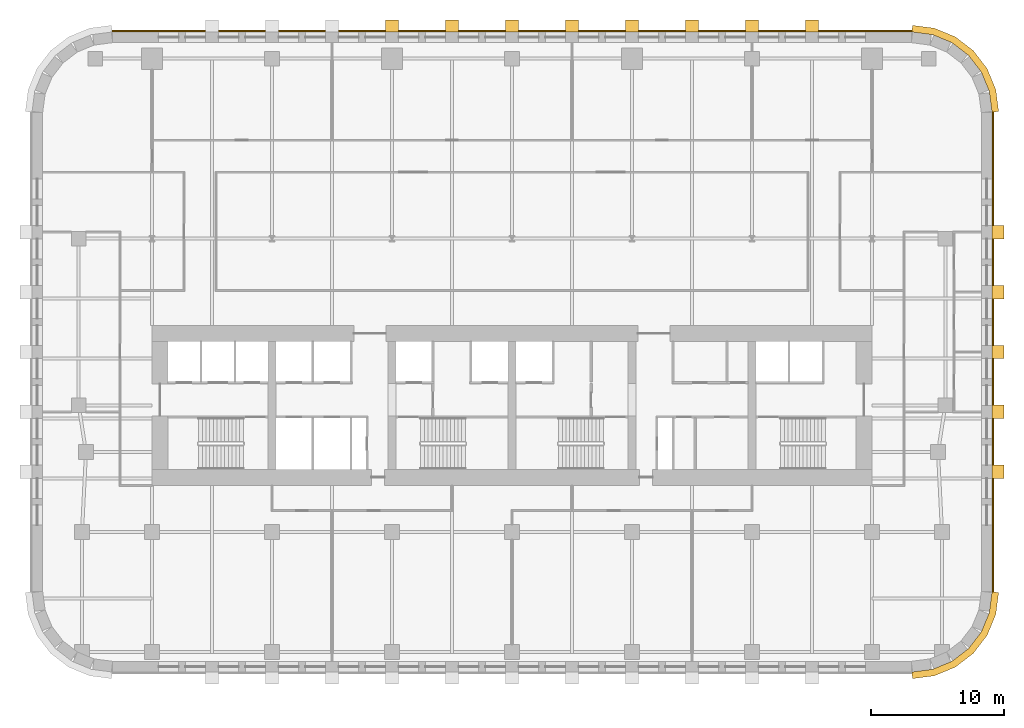
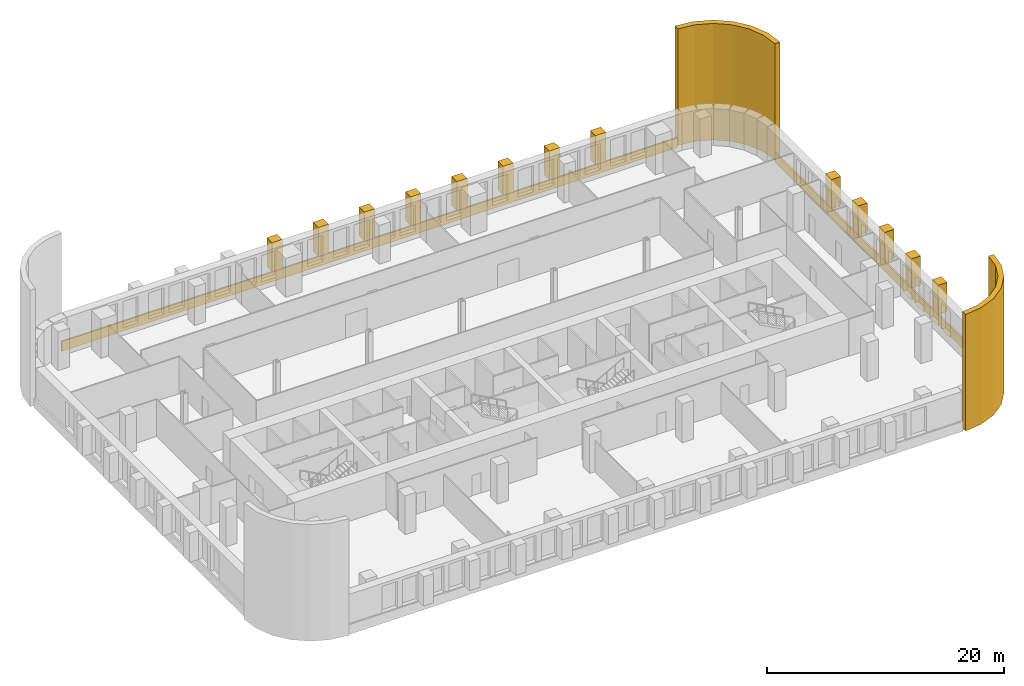
# One storey, part 12 of 12: 17 coverings.
"""IFC4 building model written with IfcOpenShell, lengths in metres."""

from ifc_helpers import new_model, si_unit, direction, frame, origin, place, context, subcontext, project, spatial, polyline, outline, extrude, material, layer, layer_set, type_object, element, save


model = new_model("IFC4")

# Units and contexts
model_context = context("Model", 3, precision=1e-05, world=origin(), true_north=direction((0.0, 1.0)))
body_context = subcontext(model_context, "Body", "Model", "MODEL_VIEW")
ifc_project = project(units=[si_unit("LENGTHUNIT", "METRE"), si_unit("AREAUNIT", "SQUARE_METRE"), si_unit("VOLUMEUNIT", "CUBIC_METRE"), si_unit("PLANEANGLEUNIT", "RADIAN"), si_unit("MASSUNIT", "GRAM", prefix="KILO")], contexts=[model_context])

# Site, building, storey
site_placement = place(None, origin())
site = spatial("IfcSite", under=ifc_project, at=site_placement, CompositionType="ELEMENT")
building_placement = place(site_placement, origin())
building = spatial("IfcBuilding", under=site, at=building_placement, Name="Zellij Exchange Tower", CompositionType="ELEMENT")
storey_placement = place(building_placement, frame((0.0, 0.0, 88.5)))
storey = spatial("IfcBuildingStorey", under=building, at=storey_placement, Name="L18", CompositionType="ELEMENT", Elevation=88.5)

# Coverings
ifc_material = material(Name="Limestone cladding", Category="masonry")
ifc_layer_1 = layer(ifc_material, 0.14990234375)
ifc_layer_set_1 = layer_set([ifc_layer_1], Name="Limestone cladding")
covering_type_1 = type_object("IfcCoveringType", Name="ENV-CV1 Stone spandrel band 150", PredefinedType="CLADDING", material=ifc_layer_set_1)
covering_1_placement = place(storey_placement, frame((0.0, 0.0, -0.199951171875)))
element("IfcCovering", 1, at=covering_1_placement, inside=storey, type_object=covering_type_1, Name="Stone spandrel band", PredefinedType="CLADDING", context=body_context, shape_type="SweptSolid", body=[
    extrude(outline(polyline([(36.0, -21.973876953125), (36.0, 13.973876953125), (36.14990234375, 13.983642578125), (36.14990234375, -21.983642578125), (36.0, -21.973876953125)])), origin(), (0.0, 0.0, 1.0), 1.0),
])
covering_2_placement = place(storey_placement, frame((0.0, 0.0, -0.199951171875)))
element("IfcCovering", 2, at=covering_2_placement, inside=storey, type_object=covering_type_1, Name="Stone spandrel band", PredefinedType="CLADDING", context=body_context, shape_type="SweptSolid", body=[
    extrude(outline(polyline([(29.973876953125, 20.0), (-29.973876953125, 20.0), (-29.983642578125, 20.14990234375), (29.983642578125, 20.14990234375), (29.973876953125, 20.0)])), origin(), (0.0, 0.0, 1.0), 1.0),
])
ifc_layer_2 = layer(ifc_material, 0.5)
ifc_layer_set_2 = layer_set([ifc_layer_2], Name="Limestone cladding")
covering_type_2 = type_object("IfcCoveringType", Name="ENV-CV12 Stone corner pier 500", PredefinedType="CLADDING", material=ifc_layer_set_2)
covering_3_placement = place(storey_placement, origin())
element("IfcCovering", 3, at=covering_3_placement, inside=storey, type_object=covering_type_2, Name="Stone corner pier", PredefinedType="CLADDING", context=body_context, shape_type="SweptSolid", body=[
    extrude(outline(polyline([(30.0, -28.0), (31.552978515625, -27.795654296875), (33.0, -27.1962890625), (34.24267578125, -26.24267578125), (35.1962890625, -25.0), (35.795654296875, -23.552978515625), (36.0, -22.0), (36.5, -22.03271484375), (36.28271484375, -23.683349609375), (35.6328125, -25.252197265625), (34.59912109375, -26.59912109375), (33.252197265625, -27.6328125), (31.683349609375, -28.28271484375), (30.03271484375, -28.5), (30.0, -28.0)])), origin(), (0.0, 0.0, 1.0), 12.0),
])
covering_4_placement = place(storey_placement, origin())
element("IfcCovering", 4, at=covering_4_placement, inside=storey, type_object=covering_type_2, Name="Stone corner pier", PredefinedType="CLADDING", context=body_context, shape_type="SweptSolid", body=[
    extrude(outline(polyline([(36.0, 14.0), (35.795654296875, 15.552978515625), (35.1962890625, 17.0), (34.24267578125, 18.24267578125), (33.0, 19.1962890625), (31.552978515625, 19.795654296875), (30.0, 20.0), (30.03271484375, 20.5), (31.683349609375, 20.28271484375), (33.252197265625, 19.6328125), (34.59912109375, 18.59912109375), (35.6328125, 17.252197265625), (36.28271484375, 15.683349609375), (36.5, 14.03271484375), (36.0, 14.0)])), origin(), (0.0, 0.0, 1.0), 12.0),
])
covering_type_3 = type_object("IfcCoveringType", Name="ENV-CV2 Stone pier 1000x900", PredefinedType="CLADDING", material=ifc_material)
covering_5_placement = place(storey_placement, frame((0.0, 0.0, 0.800048828125)))
element("IfcCovering", 5, at=covering_5_placement, inside=storey, type_object=covering_type_3, Name="Stone pier", PredefinedType="CLADDING", context=body_context, shape_type="SweptSolid", body=[
    extrude(outline(polyline([(36.0, -13.48681640625), (36.0, -12.48681640625), (36.89990234375, -12.48681640625), (36.89990234375, -13.48681640625), (36.0, -13.48681640625)])), origin(), (0.0, 0.0, 1.0), 3.0),
])
covering_6_placement = place(storey_placement, frame((0.0, 0.0, 0.800048828125)))
element("IfcCovering", 6, at=covering_6_placement, inside=storey, type_object=covering_type_3, Name="Stone pier", PredefinedType="CLADDING", context=body_context, shape_type="SweptSolid", body=[
    extrude(outline(polyline([(36.0, -8.993408203125), (36.0, -7.993408203125), (36.89990234375, -7.993408203125), (36.89990234375, -8.993408203125), (36.0, -8.993408203125)])), origin(), (0.0, 0.0, 1.0), 3.0),
])
covering_7_placement = place(storey_placement, frame((0.0, 0.0, 0.800048828125)))
element("IfcCovering", 7, at=covering_7_placement, inside=storey, type_object=covering_type_3, Name="Stone pier", PredefinedType="CLADDING", context=body_context, shape_type="SweptSolid", body=[
    extrude(outline(polyline([(36.0, -4.5), (36.0, -3.5), (36.89990234375, -3.5), (36.89990234375, -4.5), (36.0, -4.5)])), origin(), (0.0, 0.0, 1.0), 3.0),
])
covering_8_placement = place(storey_placement, frame((0.0, 0.0, 0.800048828125)))
element("IfcCovering", 8, at=covering_8_placement, inside=storey, type_object=covering_type_3, Name="Stone pier", PredefinedType="CLADDING", context=body_context, shape_type="SweptSolid", body=[
    extrude(outline(polyline([(36.0, -0.006591796875), (36.0, 0.993408203125), (36.89990234375, 0.993408203125), (36.89990234375, -0.006591796875), (36.0, -0.006591796875)])), origin(), (0.0, 0.0, 1.0), 3.0),
])
covering_9_placement = place(storey_placement, frame((0.0, 0.0, 0.800048828125)))
element("IfcCovering", 9, at=covering_9_placement, inside=storey, type_object=covering_type_3, Name="Stone pier", PredefinedType="CLADDING", context=body_context, shape_type="SweptSolid", body=[
    extrude(outline(polyline([(36.0, 4.48681640625), (36.0, 5.48681640625), (36.89990234375, 5.48681640625), (36.89990234375, 4.48681640625), (36.0, 4.48681640625)])), origin(), (0.0, 0.0, 1.0), 3.0),
])
covering_10_placement = place(storey_placement, frame((0.0, 0.0, 0.800048828125)))
element("IfcCovering", 10, at=covering_10_placement, inside=storey, type_object=covering_type_3, Name="Stone pier", PredefinedType="CLADDING", context=body_context, shape_type="SweptSolid", body=[
    extrude(outline(polyline([(23.0, 20.0), (22.0, 20.0), (22.0, 20.89990234375), (23.0, 20.89990234375), (23.0, 20.0)])), origin(), (0.0, 0.0, 1.0), 3.0),
])
covering_11_placement = place(storey_placement, frame((0.0, 0.0, 0.800048828125)))
element("IfcCovering", 11, at=covering_11_placement, inside=storey, type_object=covering_type_3, Name="Stone pier", PredefinedType="CLADDING", context=body_context, shape_type="SweptSolid", body=[
    extrude(outline(polyline([(18.5, 20.0), (17.5, 20.0), (17.5, 20.89990234375), (18.5, 20.89990234375), (18.5, 20.0)])), origin(), (0.0, 0.0, 1.0), 3.0),
])
covering_12_placement = place(storey_placement, frame((0.0, 0.0, 0.800048828125)))
element("IfcCovering", 12, at=covering_12_placement, inside=storey, type_object=covering_type_3, Name="Stone pier", PredefinedType="CLADDING", context=body_context, shape_type="SweptSolid", body=[
    extrude(outline(polyline([(14.0, 20.0), (13.0, 20.0), (13.0, 20.89990234375), (14.0, 20.89990234375), (14.0, 20.0)])), origin(), (0.0, 0.0, 1.0), 3.0),
])
covering_13_placement = place(storey_placement, frame((0.0, 0.0, 0.800048828125)))
element("IfcCovering", 13, at=covering_13_placement, inside=storey, type_object=covering_type_3, Name="Stone pier", PredefinedType="CLADDING", context=body_context, shape_type="SweptSolid", body=[
    extrude(outline(polyline([(9.5, 20.0), (8.5, 20.0), (8.5, 20.89990234375), (9.5, 20.89990234375), (9.5, 20.0)])), origin(), (0.0, 0.0, 1.0), 3.0),
])
covering_14_placement = place(storey_placement, frame((0.0, 0.0, 0.800048828125)))
element("IfcCovering", 14, at=covering_14_placement, inside=storey, type_object=covering_type_3, Name="Stone pier", PredefinedType="CLADDING", context=body_context, shape_type="SweptSolid", body=[
    extrude(outline(polyline([(5.0, 20.0), (4.0, 20.0), (4.0, 20.89990234375), (5.0, 20.89990234375), (5.0, 20.0)])), origin(), (0.0, 0.0, 1.0), 3.0),
])
covering_15_placement = place(storey_placement, frame((0.0, 0.0, 0.800048828125)))
element("IfcCovering", 15, at=covering_15_placement, inside=storey, type_object=covering_type_3, Name="Stone pier", PredefinedType="CLADDING", context=body_context, shape_type="SweptSolid", body=[
    extrude(outline(polyline([(0.5, 20.0), (-0.5, 20.0), (-0.5, 20.89990234375), (0.5, 20.89990234375), (0.5, 20.0)])), origin(), (0.0, 0.0, 1.0), 3.0),
])
covering_16_placement = place(storey_placement, frame((0.0, 0.0, 0.800048828125)))
element("IfcCovering", 16, at=covering_16_placement, inside=storey, type_object=covering_type_3, Name="Stone pier", PredefinedType="CLADDING", context=body_context, shape_type="SweptSolid", body=[
    extrude(outline(polyline([(-4.0, 20.0), (-5.0, 20.0), (-5.0, 20.89990234375), (-4.0, 20.89990234375), (-4.0, 20.0)])), origin(), (0.0, 0.0, 1.0), 3.0),
])
covering_17_placement = place(storey_placement, frame((0.0, 0.0, 0.800048828125)))
element("IfcCovering", 17, at=covering_17_placement, inside=storey, type_object=covering_type_3, Name="Stone pier", PredefinedType="CLADDING", context=body_context, shape_type="SweptSolid", body=[
    extrude(outline(polyline([(-8.5, 20.0), (-9.5, 20.0), (-9.5, 20.89990234375), (-8.5, 20.89990234375), (-8.5, 20.0)])), origin(), (0.0, 0.0, 1.0), 3.0),
])

save(model, "model.ifc")
